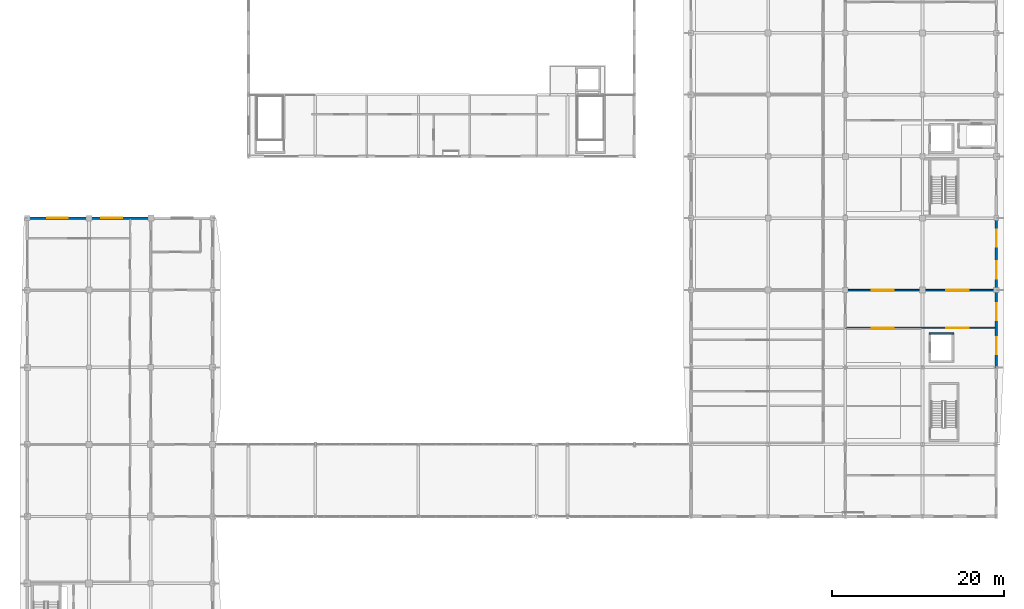
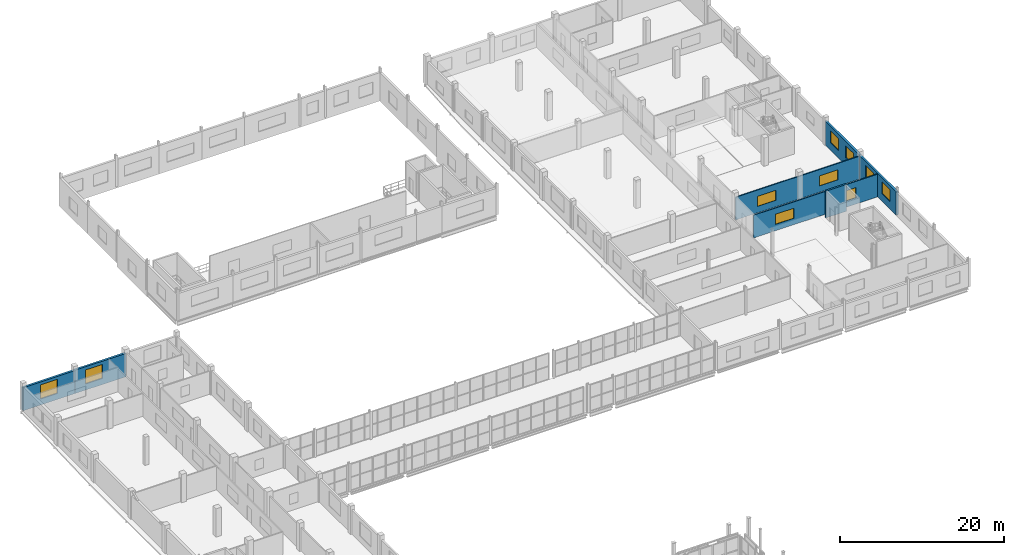
# One storey, part 100 of 121: 10 windows, 7 walls, 10 openings.
"""IFC4 building model written with IfcOpenShell, lengths in metres."""

from ifc_helpers import new_model, si_unit, direction, frame, frame_2d, origin, place, context, subcontext, project, spatial, rectangle, extrude, material, layer, layer_set, type_object, element, fill, save


model = new_model("IFC4")

# Units and contexts
model_context = context("Model", 3, precision=1e-05, world=origin(), true_north=direction((0.0, 1.0)))
body_context = subcontext(model_context, "Body", "Model", "MODEL_VIEW")
ifc_project = project(units=[si_unit("LENGTHUNIT", "METRE"), si_unit("AREAUNIT", "SQUARE_METRE"), si_unit("VOLUMEUNIT", "CUBIC_METRE"), si_unit("PLANEANGLEUNIT", "RADIAN"), si_unit("MASSUNIT", "GRAM", prefix="KILO")], contexts=[model_context])

# Site, building, storey
site_placement = place(None, origin())
site = spatial("IfcSite", under=ifc_project, at=site_placement, CompositionType="ELEMENT")
building_placement = place(site_placement, origin())
building = spatial("IfcBuilding", under=site, at=building_placement, Name="Vinh Khe Railworks Police Headquarters", CompositionType="ELEMENT")
storey_placement = place(building_placement, frame((0.0, 0.0, 4.800048828125)))
storey = spatial("IfcBuildingStorey", under=building, at=storey_placement, Name="L01", CompositionType="ELEMENT", Elevation=4.800048828125)

# Wall
ifc_material_1 = material(Name="Concrete C40/50 (B40)", Category="concrete")
ifc_layer_1 = layer(ifc_material_1, 0.25)
ifc_layer_set_1 = layer_set([ifc_layer_1], Name="Concrete C40/50 (B40)")
wall_type_1 = type_object("IfcWallType", Name="Core Shear Wall 250", PredefinedType="SHEAR", material=ifc_layer_set_1)
wall_1_placement = place(storey_placement, frame((105.75, 117.324951171875, 0.0), z_axis=(0.0, 0.0, 1.0), x_axis=(1.0, 0.0, 0.0)))
element("IfcWall", 1, at=wall_1_placement, inside=storey, type_object=wall_type_1, Name="Core C4 PL-N Lift Shaft Wall (L01)", PredefinedType="SHEAR", context=body_context, shape_type="SweptSolid", body=[
    extrude(rectangle(XDim=2.89990234375, YDim=0.25, at=frame_2d((1.449951171875, 0.0))), origin(), (0.0, 0.0, 1.0), 3.97998046875),
])

# Wall, opening, window
ifc_material_2 = material(Name="Clay brickwork", Category="masonry")
ifc_layer_2 = layer(ifc_material_2, 0.300048828125)
ifc_layer_set_2 = layer_set([ifc_layer_2], Name="Clay brickwork")
wall_type_2 = type_object("IfcWallType", Name="EW-BRK-300", PredefinedType="SOLIDWALL", material=ifc_layer_set_2)
wall_2_placement = place(storey_placement, frame((0.449951171875, 130.800048828125, 0.0), z_axis=(0.0, 0.0, 1.0), x_axis=(1.0, 0.0, 0.0)))
wall_2 = element("IfcWall", 2, at=wall_2_placement, inside=storey, type_object=wall_type_2, Name="Exterior Brick Wall EW-L01-V5N-01", PredefinedType="SOLIDWALL", context=body_context, shape_type="SweptSolid", body=[
    extrude(rectangle(XDim=7.35009765625, YDim=0.300048828125, at=frame_2d((3.675048828125, 0.0))), origin(), (0.0, 0.0, 1.0), 3.425048828125),
])
opening_1_placement = place(wall_2_placement, frame((2.47509765625, 0.0, 0.89990234375)))
opening_1 = element("IfcOpeningElement", 3, at=opening_1_placement, cuts=wall_2, Name="Opening WN-02", PredefinedType="OPENING", context=body_context, shape_type="SweptSolid", body=[
    extrude(rectangle(XDim=2.39990234375, YDim=2.10009765625, at=frame_2d((1.199951171875, 1.050048828125))), frame((0.0, 0.1650390625, 0.0), z_axis=(0.0, -1.0, 0.0), x_axis=(1.0, 0.0, 0.0)), (0.0, 0.0, 1.0), 0.329833984375),
])
ifc_material_3 = material(Name="Double-glazed solar-control glass in dark steel frame", Category="steel")
window_type_1 = type_object("IfcWindowType", Name="WIN-WN-02", PartitioningType="DOUBLE_PANEL_VERTICAL", PredefinedType="WINDOW", material=ifc_material_3)
window_1_placement = place(opening_1_placement, origin())
window_1 = element("IfcWindow", 4, at=window_1_placement, inside=storey, type_object=window_type_1, Name="Casement Window WN-02", OverallHeight=2.10009765625, OverallWidth=2.39990234375, PartitioningType="SINGLE_PANEL", PredefinedType="WINDOW", context=body_context, shape_type="SweptSolid", body=[
    extrude(rectangle(XDim=2.39990234375, YDim=2.10009765625, at=frame_2d((1.199951171875, 1.050048828125))), frame((0.0, 0.030029296875, 0.0), z_axis=(0.0, -1.0, 0.0), x_axis=(1.0, 0.0, 0.0)), (0.0, 0.0, 1.0), 0.06005859375),
])
fill(opening_1, window_1)

wall_3_placement = place(storey_placement, frame((7.800048828125, 130.800048828125, 0.0), z_axis=(0.0, 0.0, 1.0), x_axis=(1.0, 0.0, 0.0)))
wall_3 = element("IfcWall", 5, at=wall_3_placement, inside=storey, type_object=wall_type_2, Name="Exterior Brick Wall EW-L01-V5N-02", PredefinedType="SOLIDWALL", context=body_context, shape_type="SweptSolid", body=[
    extrude(rectangle(XDim=7.199951171875, YDim=0.300048828125, at=frame_2d((3.60009765625, 0.0))), origin(), (0.0, 0.0, 1.0), 3.474853515625),
])
opening_2_placement = place(wall_3_placement, frame((1.449951171875, 0.0, 0.89990234375)))
opening_2 = element("IfcOpeningElement", 6, at=opening_2_placement, cuts=wall_3, Name="Opening WN-02", PredefinedType="OPENING", context=body_context, shape_type="SweptSolid", body=[
    extrude(rectangle(XDim=2.39990234375, YDim=2.10009765625, at=frame_2d((1.199951171875, 1.050048828125))), frame((0.0, 0.1650390625, 0.0), z_axis=(0.0, -1.0, 0.0), x_axis=(1.0, 0.0, 0.0)), (0.0, 0.0, 1.0), 0.329833984375),
])
window_2_placement = place(opening_2_placement, origin())
window_2 = element("IfcWindow", 7, at=window_2_placement, inside=storey, type_object=window_type_1, Name="Casement Window WN-02", OverallHeight=2.10009765625, OverallWidth=2.39990234375, PartitioningType="SINGLE_PANEL", PredefinedType="WINDOW", context=body_context, shape_type="SweptSolid", body=[
    extrude(rectangle(XDim=2.39990234375, YDim=2.10009765625, at=frame_2d((1.199951171875, 1.050048828125))), frame((0.0, 0.030029296875, 0.0), z_axis=(0.0, -1.0, 0.0), x_axis=(1.0, 0.0, 0.0)), (0.0, 0.0, 1.0), 0.06005859375),
])
fill(opening_2, window_2)

# Wall, openings, windows
wall_4_placement = place(storey_placement, frame((113.60009765625, 113.39990234375, 0.0), z_axis=(0.0, 0.0, 1.0), x_axis=(0.0, 1.0, 0.0)))
wall_4 = element("IfcWall", 8, at=wall_4_placement, inside=storey, type_object=wall_type_2, Name="Exterior Brick Wall EW-L01-V6E-03", PredefinedType="SOLIDWALL", context=body_context, shape_type="SweptSolid", body=[
    extrude(rectangle(XDim=9.0, YDim=0.300048828125, at=frame_2d((4.5, 0.0))), origin(), (0.0, 0.0, 1.0), 3.48486328125),
])
opening_3_placement = place(wall_4_placement, frame((1.52001953125, 0.0, 1.10009765625)))
opening_3 = element("IfcOpeningElement", 9, at=opening_3_placement, cuts=wall_4, Name="Opening WN-04", PredefinedType="OPENING", context=body_context, shape_type="SweptSolid", body=[
    extrude(rectangle(XDim=2.0, YDim=1.800048828125, at=frame_2d((1.0, 0.89990234375))), frame((0.0, 0.1650390625, 0.0), z_axis=(0.0, -1.0, 0.0), x_axis=(1.0, 0.0, 0.0)), (0.0, 0.0, 1.0), 0.329833984375),
])
opening_4_placement = place(wall_4_placement, frame((5.47998046875, 0.0, 1.10009765625)))
opening_4 = element("IfcOpeningElement", 10, at=opening_4_placement, cuts=wall_4, Name="Opening WN-04", PredefinedType="OPENING", context=body_context, shape_type="SweptSolid", body=[
    extrude(rectangle(XDim=2.0, YDim=1.800048828125, at=frame_2d((1.0, 0.89990234375))), frame((0.0, 0.1650390625, 0.0), z_axis=(0.0, -1.0, 0.0), x_axis=(1.0, 0.0, 0.0)), (0.0, 0.0, 1.0), 0.329833984375),
])
window_type_2 = type_object("IfcWindowType", Name="WIN-WN-04", PartitioningType="DOUBLE_PANEL_VERTICAL", PredefinedType="WINDOW", material=ifc_material_3)
window_3_placement = place(opening_3_placement, origin())
window_3 = element("IfcWindow", 11, at=window_3_placement, inside=storey, type_object=window_type_2, Name="Casement Window WN-04", OverallHeight=1.800048828125, OverallWidth=2.0, PartitioningType="SINGLE_PANEL", PredefinedType="WINDOW", context=body_context, shape_type="SweptSolid", body=[
    extrude(rectangle(XDim=2.0, YDim=1.800048828125, at=frame_2d((1.0, 0.89990234375))), frame((0.0, 0.030029296875, 0.0), z_axis=(0.0, -1.0, 0.0), x_axis=(1.0, 0.0, 0.0)), (0.0, 0.0, 1.0), 0.06005859375),
])
fill(opening_3, window_3)
window_4_placement = place(opening_4_placement, origin())
window_4 = element("IfcWindow", 12, at=window_4_placement, inside=storey, type_object=window_type_2, Name="Casement Window WN-04", OverallHeight=1.800048828125, OverallWidth=2.0, PartitioningType="SINGLE_PANEL", PredefinedType="WINDOW", context=body_context, shape_type="SweptSolid", body=[
    extrude(rectangle(XDim=2.0, YDim=1.800048828125, at=frame_2d((1.0, 0.89990234375))), frame((0.0, 0.030029296875, 0.0), z_axis=(0.0, -1.0, 0.0), x_axis=(1.0, 0.0, 0.0)), (0.0, 0.0, 1.0), 0.06005859375),
])
fill(opening_4, window_4)

wall_5_placement = place(storey_placement, frame((113.60009765625, 122.39990234375, 0.0), z_axis=(0.0, 0.0, 1.0), x_axis=(0.0, 1.0, 0.0)))
wall_5 = element("IfcWall", 13, at=wall_5_placement, inside=storey, type_object=wall_type_2, Name="Exterior Brick Wall EW-L01-V6E-04", PredefinedType="SOLIDWALL", context=body_context, shape_type="SweptSolid", body=[
    extrude(rectangle(XDim=8.400146484375, YDim=0.300048828125, at=frame_2d((4.2001953125, 0.0))), origin(), (0.0, 0.0, 1.0), 3.534912109375),
])
opening_5_placement = place(wall_5_placement, frame((1.35205078125, 0.0, 1.10009765625)))
opening_5 = element("IfcOpeningElement", 14, at=opening_5_placement, cuts=wall_5, Name="Opening WN-04", PredefinedType="OPENING", context=body_context, shape_type="SweptSolid", body=[
    extrude(rectangle(XDim=2.0, YDim=1.800048828125, at=frame_2d((1.0, 0.89990234375))), frame((0.0, 0.1650390625, 0.0), z_axis=(0.0, -1.0, 0.0), x_axis=(1.0, 0.0, 0.0)), (0.0, 0.0, 1.0), 0.329833984375),
])
opening_6_placement = place(wall_5_placement, frame((5.048095703125, 0.0, 1.10009765625)))
opening_6 = element("IfcOpeningElement", 15, at=opening_6_placement, cuts=wall_5, Name="Opening WN-04", PredefinedType="OPENING", context=body_context, shape_type="SweptSolid", body=[
    extrude(rectangle(XDim=2.0, YDim=1.800048828125, at=frame_2d((1.0, 0.89990234375))), frame((0.0, 0.1650390625, 0.0), z_axis=(0.0, -1.0, 0.0), x_axis=(1.0, 0.0, 0.0)), (0.0, 0.0, 1.0), 0.329833984375),
])
window_5_placement = place(opening_5_placement, origin())
window_5 = element("IfcWindow", 16, at=window_5_placement, inside=storey, type_object=window_type_2, Name="Casement Window WN-04", OverallHeight=1.800048828125, OverallWidth=2.0, PartitioningType="SINGLE_PANEL", PredefinedType="WINDOW", context=body_context, shape_type="SweptSolid", body=[
    extrude(rectangle(XDim=2.0, YDim=1.800048828125, at=frame_2d((1.0, 0.89990234375))), frame((0.0, 0.030029296875, 0.0), z_axis=(0.0, -1.0, 0.0), x_axis=(1.0, 0.0, 0.0)), (0.0, 0.0, 1.0), 0.06005859375),
])
fill(opening_5, window_5)
window_6_placement = place(opening_6_placement, origin())
window_6 = element("IfcWindow", 17, at=window_6_placement, inside=storey, type_object=window_type_2, Name="Casement Window WN-04", OverallHeight=1.800048828125, OverallWidth=2.0, PartitioningType="SINGLE_PANEL", PredefinedType="WINDOW", context=body_context, shape_type="SweptSolid", body=[
    extrude(rectangle(XDim=2.0, YDim=1.800048828125, at=frame_2d((1.0, 0.89990234375))), frame((0.0, 0.030029296875, 0.0), z_axis=(0.0, -1.0, 0.0), x_axis=(1.0, 0.0, 0.0)), (0.0, 0.0, 1.0), 0.06005859375),
])
fill(opening_6, window_6)

ifc_material_4 = material(Name="Gypsum plasterboard on steel stud", Category="steel")
ifc_layer_3 = layer(ifc_material_4, 0.1201171875)
ifc_layer_set_3 = layer_set([ifc_layer_3], Name="Gypsum plasterboard on steel stud")
wall_type_3 = type_object("IfcWallType", Name="IW-PART-120", PredefinedType="PARTITIONING", material=ifc_layer_set_3)
wall_6_placement = place(storey_placement, frame((96.0, 118.0, 0.0), z_axis=(0.0, 0.0, 1.0), x_axis=(1.0, 0.0, 0.0)))
wall_6 = element("IfcWall", 18, at=wall_6_placement, inside=storey, type_object=wall_type_3, Name="Interior Partition W-L01-V6-CELL6-DIV", PredefinedType="PARTITIONING", context=body_context, shape_type="SweptSolid", body=[
    extrude(rectangle(XDim=17.43994140625, YDim=0.14990234375, at=frame_2d((8.719970703125, 0.0))), origin(), (0.0, 0.0, 1.0), 3.385009765625),
])
opening_7_placement = place(wall_6_placement, frame((3.06005859375, 0.0, 0.949951171875)))
opening_7 = element("IfcOpeningElement", 19, at=opening_7_placement, cuts=wall_6, Name="Opening WN-07", PredefinedType="OPENING", context=body_context, shape_type="SweptSolid", body=[
    extrude(rectangle(XDim=2.60009765625, YDim=1.5, at=frame_2d((1.300048828125, 0.75))), frame((0.0, 0.08984375, 0.0), z_axis=(0.0, -1.0, 0.0), x_axis=(1.0, 0.0, 0.0)), (0.0, 0.0, 1.0), 0.1796875),
])
opening_8_placement = place(wall_6_placement, frame((11.780029296875, 0.0, 0.949951171875)))
opening_8 = element("IfcOpeningElement", 20, at=opening_8_placement, cuts=wall_6, Name="Opening WN-07", PredefinedType="OPENING", context=body_context, shape_type="SweptSolid", body=[
    extrude(rectangle(XDim=2.60009765625, YDim=1.5, at=frame_2d((1.300048828125, 0.75))), frame((0.0, 0.08984375, 0.0), z_axis=(0.0, -1.0, 0.0), x_axis=(1.0, 0.0, 0.0)), (0.0, 0.0, 1.0), 0.1796875),
])
window_type_3 = type_object("IfcWindowType", Name="WIN-WN-07", PartitioningType="DOUBLE_PANEL_HORIZONTAL", PredefinedType="WINDOW", material=ifc_material_3)
window_7_placement = place(opening_7_placement, origin())
window_7 = element("IfcWindow", 21, at=window_7_placement, inside=storey, type_object=window_type_3, Name="Interior Acoustic Vision Window WN-07", OverallHeight=1.5, OverallWidth=2.60009765625, PartitioningType="SINGLE_PANEL", PredefinedType="WINDOW", context=body_context, shape_type="SweptSolid", body=[
    extrude(rectangle(XDim=2.60009765625, YDim=1.5, at=frame_2d((1.300048828125, 0.75))), frame((0.0, 0.030029296875, 0.0), z_axis=(0.0, -1.0, 0.0), x_axis=(1.0, 0.0, 0.0)), (0.0, 0.0, 1.0), 0.06005859375),
])
fill(opening_7, window_7)
window_8_placement = place(opening_8_placement, origin())
window_8 = element("IfcWindow", 22, at=window_8_placement, inside=storey, type_object=window_type_3, Name="Interior Acoustic Vision Window WN-07", OverallHeight=1.5, OverallWidth=2.60009765625, PartitioningType="SINGLE_PANEL", PredefinedType="WINDOW", context=body_context, shape_type="SweptSolid", body=[
    extrude(rectangle(XDim=2.60009765625, YDim=1.5, at=frame_2d((1.300048828125, 0.75))), frame((0.0, 0.030029296875, 0.0), z_axis=(0.0, -1.0, 0.0), x_axis=(1.0, 0.0, 0.0)), (0.0, 0.0, 1.0), 0.06005859375),
])
fill(opening_8, window_8)

wall_7_placement = place(storey_placement, frame((96.0, 122.39990234375, 0.0), z_axis=(0.0, 0.0, 1.0), x_axis=(1.0, 0.0, 0.0)))
wall_7 = element("IfcWall", 23, at=wall_7_placement, inside=storey, type_object=wall_type_3, Name="Interior Partition W-L01-V6-TOX-DIV", PredefinedType="PARTITIONING", context=body_context, shape_type="SweptSolid", body=[
    extrude(rectangle(XDim=17.43994140625, YDim=0.14990234375, at=frame_2d((8.719970703125, 0.0))), origin(), (0.0, 0.0, 1.0), 3.385009765625),
])
opening_9_placement = place(wall_7_placement, frame((3.06005859375, 0.0, 0.949951171875)))
opening_9 = element("IfcOpeningElement", 24, at=opening_9_placement, cuts=wall_7, Name="Opening WN-07", PredefinedType="OPENING", context=body_context, shape_type="SweptSolid", body=[
    extrude(rectangle(XDim=2.60009765625, YDim=1.5, at=frame_2d((1.300048828125, 0.75))), frame((0.0, 0.08984375, 0.0), z_axis=(0.0, -1.0, 0.0), x_axis=(1.0, 0.0, 0.0)), (0.0, 0.0, 1.0), 0.1796875),
])
opening_10_placement = place(wall_7_placement, frame((11.780029296875, 0.0, 0.949951171875)))
opening_10 = element("IfcOpeningElement", 25, at=opening_10_placement, cuts=wall_7, Name="Opening WN-07", PredefinedType="OPENING", context=body_context, shape_type="SweptSolid", body=[
    extrude(rectangle(XDim=2.60009765625, YDim=1.5, at=frame_2d((1.300048828125, 0.75))), frame((0.0, 0.08984375, 0.0), z_axis=(0.0, -1.0, 0.0), x_axis=(1.0, 0.0, 0.0)), (0.0, 0.0, 1.0), 0.1796875),
])
window_9_placement = place(opening_9_placement, origin())
window_9 = element("IfcWindow", 26, at=window_9_placement, inside=storey, type_object=window_type_3, Name="Interior Acoustic Vision Window WN-07", OverallHeight=1.5, OverallWidth=2.60009765625, PartitioningType="SINGLE_PANEL", PredefinedType="WINDOW", context=body_context, shape_type="SweptSolid", body=[
    extrude(rectangle(XDim=2.60009765625, YDim=1.5, at=frame_2d((1.300048828125, 0.75))), frame((0.0, 0.030029296875, 0.0), z_axis=(0.0, -1.0, 0.0), x_axis=(1.0, 0.0, 0.0)), (0.0, 0.0, 1.0), 0.06005859375),
])
fill(opening_9, window_9)
window_10_placement = place(opening_10_placement, origin())
window_10 = element("IfcWindow", 27, at=window_10_placement, inside=storey, type_object=window_type_3, Name="Interior Acoustic Vision Window WN-07", OverallHeight=1.5, OverallWidth=2.60009765625, PartitioningType="SINGLE_PANEL", PredefinedType="WINDOW", context=body_context, shape_type="SweptSolid", body=[
    extrude(rectangle(XDim=2.60009765625, YDim=1.5, at=frame_2d((1.300048828125, 0.75))), frame((0.0, 0.030029296875, 0.0), z_axis=(0.0, -1.0, 0.0), x_axis=(1.0, 0.0, 0.0)), (0.0, 0.0, 1.0), 0.06005859375),
])
fill(opening_10, window_10)

save(model, "model.ifc")
